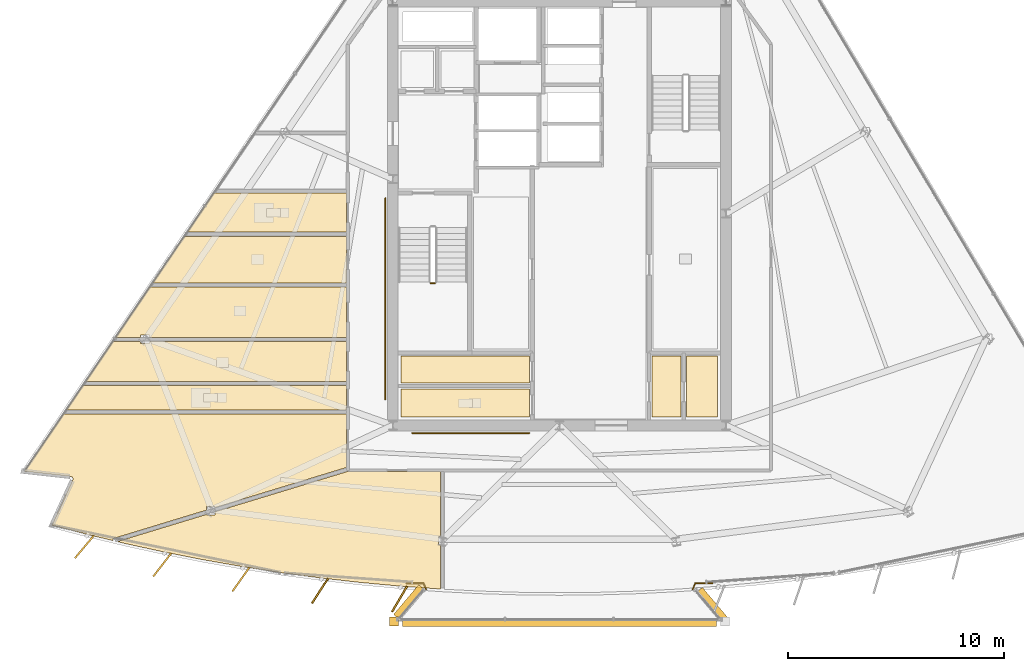
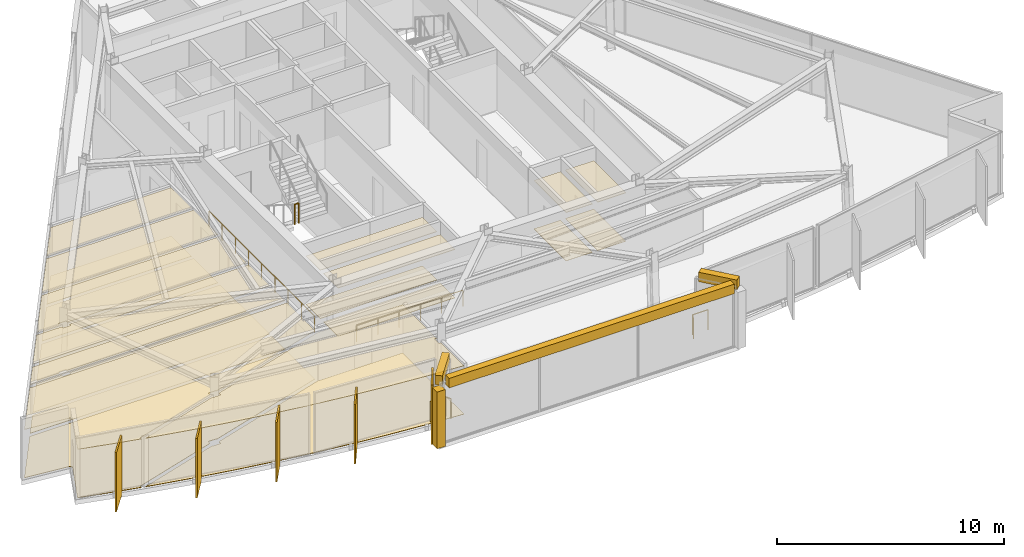
# One storey, part 11 of 14: 26 coverings, 5 railings, 5 shading devices.
"""IFC4 building model written with IfcOpenShell, lengths in metres."""

import ifcopenshell
import ifcopenshell.guid

model = None  # the IFC model being written
_history = None  # IfcOwnerHistory: only IFC2X3 demands one
_inside = {}  # id of a spatial element -> (the spatial element, [elements in it])
_under = {}  # id of a project, library or spatial element -> (it, [spatial elements below it])
_declared = {}  # id of a project -> (the project, [libraries it declares])
_typed = {}  # id of a type object -> (the type object, [elements of that type])
_made_of = {}  # id of a material, layer set ... -> (it, [elements and type objects made of it])


def new_model(schema):
    """Start an empty IFC model of exactly this schema.

    Asked for "IFC4X3", IfcOpenShell would pick the latest addendum, in which some entities
    have other attributes; the version numbers below select the first issue.
    IFC2X3 requires an IfcOwnerHistory on every rooted entity: one is made here for all.
    """
    global model, _history
    if schema == "IFC4X3":
        model = ifcopenshell.file(schema_version=(4, 3, 0, 0))
    else:
        model = ifcopenshell.file(schema=schema)
    _inside.clear()
    _under.clear()
    _declared.clear()
    _typed.clear()
    _made_of.clear()
    _history = None
    if model.schema == "IFC2X3":
        org = make("IfcOrganization", Name="unknown")
        user = make(
            "IfcPersonAndOrganization",
            ThePerson=make("IfcPerson", FamilyName="unknown"),
            TheOrganization=org,
        )
        app = make(
            "IfcApplication",
            ApplicationDeveloper=org,
            Version="unknown",
            ApplicationFullName="unknown",
            ApplicationIdentifier="unknown",
        )
        _history = make(
            "IfcOwnerHistory",
            OwningUser=user,
            OwningApplication=app,
            ChangeAction="ADDED",
            CreationDate=0,
        )
    return model


def make(cls, **values):
    """One entity of the class cls with the attributes given. An attribute that is None is left unset."""
    return model.create_entity(
        cls, **{name: value for name, value in values.items() if value is not None}
    )


def rooted(cls, **values):
    """An entity with a GlobalId (a new one), such as an element, a storey or a relation."""
    return make(cls, GlobalId=ifcopenshell.guid.new(), OwnerHistory=_history, **values)


def si_unit(unit_type, name, prefix=None):
    """IfcSIUnit, for example si_unit("LENGTHUNIT", "METRE", prefix="MILLI")."""
    return make("IfcSIUnit", UnitType=unit_type, Prefix=prefix, Name=name)


def assignment(units):
    """IfcUnitAssignment: the units of a project."""
    return None if units is None else make("IfcUnitAssignment", Units=units)


def point(xyz):
    """IfcCartesianPoint."""
    return None if xyz is None else make("IfcCartesianPoint", Coordinates=xyz)


def direction(xyz):
    """IfcDirection."""
    return None if xyz is None else make("IfcDirection", DirectionRatios=xyz)


def frame(location, z_axis=None, x_axis=None):
    """IfcAxis2Placement3D, a coordinate frame: its origin and axes. An axis left out is left unset."""
    return make(
        "IfcAxis2Placement3D",
        Location=point(location),
        Axis=direction(z_axis),
        RefDirection=direction(x_axis),
    )


def frame_2d(location, x_axis=None):
    """IfcAxis2Placement2D, a coordinate frame in the plane: its origin and x axis."""
    return make(
        "IfcAxis2Placement2D", Location=point(location), RefDirection=direction(x_axis)
    )


def origin():
    """The frame at (0, 0, 0) with its axes left unset."""
    return frame((0.0, 0.0, 0.0))


def origin_2d():
    """The frame at (0, 0) in the plane with its x axis left unset."""
    return frame_2d((0.0, 0.0))


def place(relative_to, where):
    """IfcLocalPlacement: puts the frame where relative to a parent placement (None: the world)."""
    return make(
        "IfcLocalPlacement", PlacementRelTo=relative_to, RelativePlacement=where
    )


def context(
    kind, dimensions, precision=None, world=None, true_north=None, identifier=None
):
    """IfcGeometricRepresentationContext, for example the 3D "Model" context."""
    return make(
        "IfcGeometricRepresentationContext",
        ContextIdentifier=identifier,
        ContextType=kind,
        CoordinateSpaceDimension=dimensions,
        Precision=precision,
        WorldCoordinateSystem=world,
        TrueNorth=true_north,
    )


def subcontext(parent, identifier, kind, view, scale=None):
    """IfcGeometricRepresentationSubContext, for example "Body" below "Model"."""
    return make(
        "IfcGeometricRepresentationSubContext",
        ContextIdentifier=identifier,
        ContextType=kind,
        ParentContext=parent,
        TargetScale=scale,
        TargetView=view,
    )


def project(units=None, contexts=None):
    """IfcProject with its units and contexts."""
    return rooted(
        "IfcProject",
        Name="project",
        RepresentationContexts=contexts,
        UnitsInContext=assignment(units),
    )


def spatial(cls, under=None, at=None, **own):
    """A site, building, storey or space (cls), placed at a placement, below another one or the project."""
    s = rooted(cls, ObjectPlacement=at, **own)
    if under is not None:
        _under.setdefault(under.id(), (under, []))[1].append(s)
    return s


def polyline(points):
    """IfcPolyline through the points."""
    return make("IfcPolyline", Points=[point(p) for p in points])


def profile(cls, at=None, kind="AREA", **sizes):
    """A parametric profile (cls). Its sizes go by their IFC names, for example OverallWidth=200.0."""
    return make(cls, ProfileType=kind, Position=at, **sizes)


def rectangle(**sizes):
    """IfcRectangleProfileDef."""
    return profile("IfcRectangleProfileDef", **sizes)


def circle(**sizes):
    """IfcCircleProfileDef."""
    return profile("IfcCircleProfileDef", **sizes)


def outline(outer, holes=None, kind="AREA"):
    """IfcArbitraryClosedProfileDef: a profile drawn as a closed curve; with holes, ...WithVoids."""
    if holes is None:
        return make("IfcArbitraryClosedProfileDef", ProfileType=kind, OuterCurve=outer)
    return make(
        "IfcArbitraryProfileDefWithVoids",
        ProfileType=kind,
        OuterCurve=outer,
        InnerCurves=holes,
    )


def extrude(swept, where, along, depth):
    """IfcExtrudedAreaSolid: the profile swept, set in the frame where, extruded along a direction by depth."""
    return make(
        "IfcExtrudedAreaSolid",
        SweptArea=swept,
        Position=where,
        ExtrudedDirection=direction(along),
        Depth=depth,
    )


def shape(context_of_items, identifier, shape_type, items):
    """IfcShapeRepresentation: the items that make up one representation, for example the "Body"."""
    return make(
        "IfcShapeRepresentation",
        ContextOfItems=context_of_items,
        RepresentationIdentifier=identifier,
        RepresentationType=shape_type,
        Items=items,
    )


def material(Name=None, Category=None):
    """IfcMaterial."""
    return make("IfcMaterial", Name=Name, Category=Category)


def layer(
    of_material, thickness, ventilated=None, Name=None, Category=None, Priority=None
):
    """IfcMaterialLayer: one layer of a wall or slab, of a material (None: an air gap)."""
    return make(
        "IfcMaterialLayer",
        Material=of_material,
        LayerThickness=thickness,
        IsVentilated=ventilated,
        Name=Name,
        Category=Category,
        Priority=Priority,
    )


def layer_set(layers, Name=None):
    """IfcMaterialLayerSet."""
    return make("IfcMaterialLayerSet", MaterialLayers=layers, LayerSetName=Name)


def made_of(thing, what):
    """Note that an element or type object is made of a material, layer set ...; save() writes the relation."""
    if what is not None:
        _made_of.setdefault(what.id(), (what, []))[1].append(thing)
    return thing


def type_object(cls, material=None, **own):
    """A type object (cls), such as IfcWallType, which elements share."""
    return made_of(rooted(cls, **own), material)


def element(
    cls,
    number,
    at=None,
    inside=None,
    cuts=None,
    type_object=None,
    material=None,
    context=None,
    identifier="Body",
    shape_type=None,
    held_by="IfcProductDefinitionShape",
    body=None,
    shapes=None,
    **own,
):
    """One element of the class cls, such as IfcWall. Its Tag is "e" and its number.

    at: its placement. inside: the storey or other place that contains it. cuts: it is an
    opening in that element (IfcRelVoidsElement). A single representation is given by context,
    identifier, shape_type and body (its items); several are given by shapes. held_by: the class
    of the entity that holds the representations. save() writes the other relations.
    """
    e = rooted(cls, Tag="e%d" % number, ObjectPlacement=at, **own)
    if body is not None:
        shapes = [shape(context, identifier, shape_type, body)]
    if shapes is not None:
        e.Representation = make(held_by, Representations=shapes)
    if inside is not None:
        _inside.setdefault(inside.id(), (inside, []))[1].append(e)
    if cuts is not None:
        rooted(
            "IfcRelVoidsElement", RelatingBuildingElement=cuts, RelatedOpeningElement=e
        )
    if type_object is not None:
        _typed.setdefault(type_object.id(), (type_object, []))[1].append(e)
    return made_of(e, material)


def aggregate(whole, parts):
    """IfcRelAggregates: a whole, such as a stair, and the parts it consists of."""
    return rooted("IfcRelAggregates", RelatingObject=whole, RelatedObjects=parts)


def save(model, path):
    """Write the relations noted so far, then the file.

    IfcRelAggregates (storeys below a building ...), IfcRelContainedInSpatialStructure (elements
    in a storey), IfcRelDefinesByType, IfcRelAssociatesMaterial and IfcRelDeclares: one each for
    every whole, place, type object, material and project.
    """
    for whole, parts in _under.values():
        aggregate(whole, parts)
    for where, things in _inside.values():
        rooted(
            "IfcRelContainedInSpatialStructure",
            RelatedElements=things,
            RelatingStructure=where,
        )
    for kind, things in _typed.values():
        rooted("IfcRelDefinesByType", RelatedObjects=things, RelatingType=kind)
    for what, things in _made_of.values():
        rooted("IfcRelAssociatesMaterial", RelatedObjects=things, RelatingMaterial=what)
    for by, libraries in _declared.values():
        rooted("IfcRelDeclares", RelatingContext=by, RelatedDefinitions=libraries)
    model.write(path)


model = new_model("IFC4")

# Units and contexts
model_context = context("Model", 3, precision=1e-05, world=origin(), true_north=direction((0.0, 1.0)))
body_context = subcontext(model_context, "Body", "Model", "MODEL_VIEW")
ifc_project = project(units=[si_unit("LENGTHUNIT", "METRE"), si_unit("AREAUNIT", "SQUARE_METRE"), si_unit("VOLUMEUNIT", "CUBIC_METRE"), si_unit("PLANEANGLEUNIT", "RADIAN"), si_unit("MASSUNIT", "GRAM", prefix="KILO")], contexts=[model_context])

# Site, building, storey
site_placement = place(None, origin())
site = spatial("IfcSite", under=ifc_project, at=site_placement, CompositionType="ELEMENT")
building_placement = place(site_placement, origin())
building = spatial("IfcBuilding", under=site, at=building_placement, Name="Savorim Split Tower", CompositionType="ELEMENT")
storey_placement = place(building_placement, frame((0.0, 0.0, 237.89990234375)))
storey = spatial("IfcBuildingStorey", under=building, at=storey_placement, Name="L63", CompositionType="ELEMENT", Elevation=237.89990234375)

# Coverings
ifc_material_1 = material(Name="Mineral Fibre Acoustic Ceiling")
ifc_layer_1 = layer(ifc_material_1, 0.02490234375)
ifc_layer_set_1 = layer_set([ifc_layer_1], Name="COV-CEIL-25")
covering_type_1 = type_object("IfcCoveringType", Name="COV-CEIL-25", PredefinedType="CEILING", material=ifc_layer_set_1)
covering_1_placement = place(storey_placement, frame((0.0, 0.0, 2.60009765625)))
element("IfcCovering", 1, at=covering_1_placement, inside=storey, type_object=covering_type_1, Name="L63 Cleaning Store Acoustic Ceiling", PredefinedType="CEILING", context=body_context, shape_type="SweptSolid", body=[
    extrude(outline(polyline([(-7.320068359375, -6.179931640625), (-7.320068359375, -7.43994140625), (-1.3798828125, -7.43994140625), (-1.3798828125, -6.179931640625), (-7.320068359375, -6.179931640625)])), origin(), (0.0, 0.0, 1.0), 0.02490234375),
])
covering_2_placement = place(storey_placement, frame((0.0, 0.0, 2.60009765625)))
element("IfcCovering", 2, at=covering_2_placement, inside=storey, type_object=covering_type_1, Name="L63 Public WC Acoustic Ceiling", PredefinedType="CEILING", context=body_context, shape_type="SweptSolid", body=[
    extrude(outline(polyline([(-7.320068359375, -7.719970703125), (-7.320068359375, -9.02001953125), (-1.3798828125, -9.02001953125), (-1.3798828125, -7.719970703125), (-7.320068359375, -7.719970703125)])), origin(), (0.0, 0.0, 1.0), 0.02490234375),
])
covering_3_placement = place(storey_placement, frame((0.0, 0.0, 2.60009765625)))
element("IfcCovering", 3, at=covering_3_placement, inside=storey, type_object=covering_type_1, Name="L63 Vending Pantry Acoustic Ceiling", PredefinedType="CEILING", context=body_context, shape_type="SweptSolid", body=[
    extrude(outline(polyline([(4.280029296875, -6.179931640625), (4.280029296875, -9.02001953125), (5.6201171875, -9.02001953125), (5.6201171875, -6.179931640625), (4.280029296875, -6.179931640625)])), origin(), (0.0, 0.0, 1.0), 0.02490234375),
])
covering_4_placement = place(storey_placement, frame((0.0, 0.0, 2.60009765625)))
element("IfcCovering", 4, at=covering_4_placement, inside=storey, type_object=covering_type_1, Name="L63 Recycling Chute Room Acoustic Ceiling", PredefinedType="CEILING", context=body_context, shape_type="SweptSolid", body=[
    extrude(outline(polyline([(5.8798828125, -6.179931640625), (5.8798828125, -9.02001953125), (7.320068359375, -9.02001953125), (7.320068359375, -6.179931640625), (5.8798828125, -6.179931640625)])), origin(), (0.0, 0.0, 1.0), 0.02490234375),
])
covering_5_placement = place(storey_placement, frame((0.0, 0.0, 2.60009765625)))
element("IfcCovering", 5, at=covering_5_placement, inside=storey, type_object=covering_type_1, Name="L63 Shared Kitchen Acoustic Ceiling", PredefinedType="CEILING", context=body_context, shape_type="SweptSolid", body=[
    extrude(outline(polyline([(-17.336669921875, -0.65234375), (-18.80126953125, -2.80517578125), (-9.840087890625, -2.80517578125), (-9.840087890625, -0.65234375), (-17.336669921875, -0.65234375)])), origin(), (0.0, 0.0, 1.0), 0.02490234375),
])
covering_6_placement = place(storey_placement, frame((0.0, 0.0, 2.60009765625)))
element("IfcCovering", 6, at=covering_6_placement, inside=storey, type_object=covering_type_1, Name="L63 Community Laundry Room Acoustic Ceiling", PredefinedType="CEILING", context=body_context, shape_type="SweptSolid", body=[
    extrude(outline(polyline([(-18.962158203125, -5.222412109375), (-18.962158203125, -5.323486328125), (-9.840087890625, -5.323486328125), (-9.840087890625, -2.9951171875), (-18.930419921875, -2.9951171875), (-20.514404296875, -5.323486328125), (-19.356201171875, -5.323486328125), (-19.356201171875, -5.222412109375), (-18.962158203125, -5.222412109375)])), origin(), (0.0, 0.0, 1.0), 0.02490234375),
])
covering_7_placement = place(storey_placement, frame((0.0, 0.0, 2.60009765625)))
element("IfcCovering", 7, at=covering_7_placement, inside=storey, type_object=covering_type_1, Name="L63 Community Laundry Room Acoustic Ceiling", PredefinedType="CEILING", context=body_context, shape_type="SweptSolid", body=[
    extrude(outline(polyline([(-20.5185546875, -5.513427734375), (-20.613525390625, -5.513427734375), (-20.613525390625, -5.46923828125), (-21.898681640625, -7.3583984375), (-9.840087890625, -7.3583984375), (-9.840087890625, -5.513427734375), (-18.962158203125, -5.513427734375), (-18.962158203125, -5.614501953125), (-19.356201171875, -5.614501953125), (-19.356201171875, -5.513427734375), (-20.5185546875, -5.513427734375)])), origin(), (0.0, 0.0, 1.0), 0.02490234375),
])
covering_8_placement = place(storey_placement, frame((0.0, 0.0, 2.60009765625)))
element("IfcCovering", 8, at=covering_8_placement, inside=storey, type_object=covering_type_1, Name="L63 Shared Bathroom Acoustic Ceiling", PredefinedType="CEILING", context=body_context, shape_type="SweptSolid", body=[
    extrude(outline(polyline([(-9.840087890625, -8.6865234375), (-9.840087890625, -7.54833984375), (-22.02783203125, -7.54833984375), (-22.80224609375, -8.6865234375), (-9.840087890625, -8.6865234375)])), origin(), (0.0, 0.0, 1.0), 0.02490234375),
])
covering_9_placement = place(storey_placement, frame((0.0, 0.0, 2.60009765625)))
element("IfcCovering", 9, at=covering_9_placement, inside=storey, type_object=covering_type_1, Name="L63 Co-Working Commons Acoustic Ceiling", PredefinedType="CEILING", context=body_context, shape_type="SweptSolid", body=[
    extrude(outline(polyline([(-22.49072265625, -11.86669921875), (-22.490478515625, -11.878662109375), (-22.491455078125, -11.890625), (-22.49365234375, -11.90234375), (-22.496826171875, -11.913818359375), (-22.50146484375, -11.9248046875), (-23.4599609375, -14.01123046875), (-21.8203125, -14.440185546875), (-20.6220703125, -14.7275390625), (-20.650390625, -14.634521484375), (-16.311767578125, -13.313720703125), (-16.311767578125, -13.156982421875), (-15.917724609375, -13.156982421875), (-15.917724609375, -13.193603515625), (-9.861572265625, -11.349609375), (-9.840087890625, -11.34326171875), (-9.840087890625, -8.876708984375), (-22.931396484375, -8.876708984375), (-24.72802734375, -11.517578125), (-22.59716796875, -11.755615234375), (-22.585205078125, -11.757568359375), (-22.57373046875, -11.760498046875), (-22.5625, -11.7646484375), (-22.552001953125, -11.77001953125), (-22.541748046875, -11.7763671875), (-22.5322265625, -11.78369140625), (-22.523681640625, -11.7919921875), (-22.515869140625, -11.80078125), (-22.509033203125, -11.810546875), (-22.503173828125, -11.821044921875), (-22.498291015625, -11.831787109375), (-22.49462890625, -11.84326171875), (-22.4921875, -11.85498046875), (-22.49072265625, -11.86669921875)])), origin(), (0.0, 0.0, 1.0), 0.02490234375),
])
covering_10_placement = place(storey_placement, frame((0.0, 0.0, 2.60009765625)))
element("IfcCovering", 10, at=covering_10_placement, inside=storey, type_object=covering_type_1, Name="L63 Communal Lounge Acoustic Ceiling", PredefinedType="CEILING", context=body_context, shape_type="SweptSolid", body=[
    extrude(outline(polyline([(-10.992919921875, -16.45703125), (-9.167724609375, -16.663330078125), (-7.3388671875, -16.832275390625), (-5.5068359375, -16.963623046875), (-5.495849609375, -16.96435546875), (-5.495849609375, -14.924560546875), (-5.597900390625, -14.924560546875), (-5.597900390625, -14.532470703125), (-5.495849609375, -14.532470703125), (-5.495849609375, -11.5400390625), (-9.699951171875, -11.5400390625), (-9.713623046875, -11.539306640625), (-9.727294921875, -11.537353515625), (-9.740478515625, -11.533935546875), (-9.753662109375, -11.529296875), (-9.76611328125, -11.5234375), (-9.770751953125, -11.520751953125), (-15.917724609375, -13.39208984375), (-15.917724609375, -13.548828125), (-16.311767578125, -13.548828125), (-16.311767578125, -13.51220703125), (-20.44384765625, -14.770263671875), (-20.0341796875, -14.868408203125), (-18.23974609375, -15.260009765625), (-16.4375, -15.61474609375), (-14.62841796875, -15.9326171875), (-12.8134765625, -16.21337890625), (-10.992919921875, -16.45703125)])), origin(), (0.0, 0.0, 1.0), 0.02490234375),
])
covering_11_placement = place(storey_placement, frame((0.0, 0.0, 2.60009765625)))
element("IfcCovering", 11, at=covering_11_placement, inside=storey, type_object=covering_type_1, Name="L63 Shared Bathroom Acoustic Ceiling", PredefinedType="CEILING", context=body_context, shape_type="SweptSolid", body=[
    extrude(outline(polyline([(-15.983154296875, 1.33740234375), (-17.20751953125, -0.46240234375), (-9.840087890625, -0.46240234375), (-9.840087890625, 1.33740234375), (-15.983154296875, 1.33740234375)])), origin(), (0.0, 0.0, 1.0), 0.02490234375),
])
ifc_material_2 = material(Name="Porcelain Stoneware Flooring", Category="masonry")
ifc_layer_2 = layer(ifc_material_2, 0.02001953125)
ifc_layer_set_2 = layer_set([ifc_layer_2], Name="COV-FLOR-20")
covering_type_2 = type_object("IfcCoveringType", Name="COV-FLOR-20", PredefinedType="FLOORING", material=ifc_layer_set_2)
covering_12_placement = place(storey_placement, origin())
element("IfcCovering", 12, at=covering_12_placement, inside=storey, type_object=covering_type_2, Name="L63 Cleaning Store Porcelain Flooring", PredefinedType="FLOORING", context=body_context, shape_type="SweptSolid", body=[
    extrude(outline(polyline([(-7.320068359375, -6.179931640625), (-7.320068359375, -7.43994140625), (-1.3798828125, -7.43994140625), (-1.3798828125, -6.179931640625), (-7.320068359375, -6.179931640625)])), origin(), (0.0, 0.0, 1.0), 0.02001953125),
])
covering_13_placement = place(storey_placement, origin())
element("IfcCovering", 13, at=covering_13_placement, inside=storey, type_object=covering_type_2, Name="L63 Public WC Porcelain Flooring", PredefinedType="FLOORING", context=body_context, shape_type="SweptSolid", body=[
    extrude(outline(polyline([(-7.320068359375, -7.719970703125), (-7.320068359375, -9.02001953125), (-1.3798828125, -9.02001953125), (-1.3798828125, -7.719970703125), (-7.320068359375, -7.719970703125)])), origin(), (0.0, 0.0, 1.0), 0.02001953125),
])
covering_14_placement = place(storey_placement, origin())
element("IfcCovering", 14, at=covering_14_placement, inside=storey, type_object=covering_type_2, Name="L63 Vending Pantry Porcelain Flooring", PredefinedType="FLOORING", context=body_context, shape_type="SweptSolid", body=[
    extrude(outline(polyline([(4.280029296875, -6.179931640625), (4.280029296875, -9.02001953125), (5.6201171875, -9.02001953125), (5.6201171875, -6.179931640625), (4.280029296875, -6.179931640625)])), origin(), (0.0, 0.0, 1.0), 0.02001953125),
])
covering_15_placement = place(storey_placement, origin())
element("IfcCovering", 15, at=covering_15_placement, inside=storey, type_object=covering_type_2, Name="L63 Recycling Chute Room Porcelain Flooring", PredefinedType="FLOORING", context=body_context, shape_type="SweptSolid", body=[
    extrude(outline(polyline([(5.8798828125, -6.179931640625), (5.8798828125, -9.02001953125), (7.320068359375, -9.02001953125), (7.320068359375, -6.179931640625), (5.8798828125, -6.179931640625)])), origin(), (0.0, 0.0, 1.0), 0.02001953125),
])
covering_16_placement = place(storey_placement, origin())
element("IfcCovering", 16, at=covering_16_placement, inside=storey, type_object=covering_type_2, Name="L63 Shared Kitchen Porcelain Flooring", PredefinedType="FLOORING", context=body_context, shape_type="SweptSolid", body=[
    extrude(outline(polyline([(-17.336669921875, -0.65234375), (-18.80126953125, -2.80517578125), (-9.840087890625, -2.80517578125), (-9.840087890625, -0.65234375), (-17.336669921875, -0.65234375)])), origin(), (0.0, 0.0, 1.0), 0.02001953125),
])
covering_17_placement = place(storey_placement, origin())
element("IfcCovering", 17, at=covering_17_placement, inside=storey, type_object=covering_type_2, Name="L63 Community Laundry Room Porcelain Flooring", PredefinedType="FLOORING", context=body_context, shape_type="SweptSolid", body=[
    extrude(outline(polyline([(-18.962158203125, -5.222412109375), (-18.962158203125, -5.323486328125), (-9.840087890625, -5.323486328125), (-9.840087890625, -2.9951171875), (-18.930419921875, -2.9951171875), (-20.514404296875, -5.323486328125), (-19.356201171875, -5.323486328125), (-19.356201171875, -5.222412109375), (-18.962158203125, -5.222412109375)])), origin(), (0.0, 0.0, 1.0), 0.02001953125),
])
covering_18_placement = place(storey_placement, origin())
element("IfcCovering", 18, at=covering_18_placement, inside=storey, type_object=covering_type_2, Name="L63 Community Laundry Room Porcelain Flooring", PredefinedType="FLOORING", context=body_context, shape_type="SweptSolid", body=[
    extrude(outline(polyline([(-20.5185546875, -5.513427734375), (-20.613525390625, -5.513427734375), (-20.613525390625, -5.46923828125), (-21.898681640625, -7.3583984375), (-9.840087890625, -7.3583984375), (-9.840087890625, -5.513427734375), (-18.962158203125, -5.513427734375), (-18.962158203125, -5.614501953125), (-19.356201171875, -5.614501953125), (-19.356201171875, -5.513427734375), (-20.5185546875, -5.513427734375)])), origin(), (0.0, 0.0, 1.0), 0.02001953125),
])
covering_19_placement = place(storey_placement, origin())
element("IfcCovering", 19, at=covering_19_placement, inside=storey, type_object=covering_type_2, Name="L63 Shared Bathroom Porcelain Flooring", PredefinedType="FLOORING", context=body_context, shape_type="SweptSolid", body=[
    extrude(outline(polyline([(-9.840087890625, -8.6865234375), (-9.840087890625, -7.54833984375), (-22.02783203125, -7.54833984375), (-22.80224609375, -8.6865234375), (-9.840087890625, -8.6865234375)])), origin(), (0.0, 0.0, 1.0), 0.02001953125),
])
covering_20_placement = place(storey_placement, origin())
element("IfcCovering", 20, at=covering_20_placement, inside=storey, type_object=covering_type_2, Name="L63 Co-Working Commons Porcelain Flooring", PredefinedType="FLOORING", context=body_context, shape_type="SweptSolid", body=[
    extrude(outline(polyline([(-22.49072265625, -11.86669921875), (-22.490478515625, -11.878662109375), (-22.491455078125, -11.890625), (-22.49365234375, -11.90234375), (-22.496826171875, -11.913818359375), (-22.50146484375, -11.9248046875), (-23.4599609375, -14.01123046875), (-21.8203125, -14.440185546875), (-20.6220703125, -14.7275390625), (-20.650390625, -14.634521484375), (-16.311767578125, -13.313720703125), (-16.311767578125, -13.156982421875), (-15.917724609375, -13.156982421875), (-15.917724609375, -13.193603515625), (-9.861572265625, -11.349609375), (-9.840087890625, -11.34326171875), (-9.840087890625, -8.876708984375), (-22.931396484375, -8.876708984375), (-24.72802734375, -11.517578125), (-22.59716796875, -11.755615234375), (-22.585205078125, -11.757568359375), (-22.57373046875, -11.760498046875), (-22.5625, -11.7646484375), (-22.552001953125, -11.77001953125), (-22.541748046875, -11.7763671875), (-22.5322265625, -11.78369140625), (-22.523681640625, -11.7919921875), (-22.515869140625, -11.80078125), (-22.509033203125, -11.810546875), (-22.503173828125, -11.821044921875), (-22.498291015625, -11.831787109375), (-22.49462890625, -11.84326171875), (-22.4921875, -11.85498046875), (-22.49072265625, -11.86669921875)])), origin(), (0.0, 0.0, 1.0), 0.02001953125),
])
covering_21_placement = place(storey_placement, origin())
element("IfcCovering", 21, at=covering_21_placement, inside=storey, type_object=covering_type_2, Name="L63 Communal Lounge Porcelain Flooring", PredefinedType="FLOORING", context=body_context, shape_type="SweptSolid", body=[
    extrude(outline(polyline([(-10.992919921875, -16.45703125), (-9.167724609375, -16.663330078125), (-7.3388671875, -16.832275390625), (-5.5068359375, -16.963623046875), (-5.495849609375, -16.96435546875), (-5.495849609375, -14.924560546875), (-5.597900390625, -14.924560546875), (-5.597900390625, -14.532470703125), (-5.495849609375, -14.532470703125), (-5.495849609375, -11.5400390625), (-9.699951171875, -11.5400390625), (-9.713623046875, -11.539306640625), (-9.727294921875, -11.537353515625), (-9.740478515625, -11.533935546875), (-9.753662109375, -11.529296875), (-9.76611328125, -11.5234375), (-9.770751953125, -11.520751953125), (-15.917724609375, -13.39208984375), (-15.917724609375, -13.548828125), (-16.311767578125, -13.548828125), (-16.311767578125, -13.51220703125), (-20.44384765625, -14.770263671875), (-20.0341796875, -14.868408203125), (-18.23974609375, -15.260009765625), (-16.4375, -15.61474609375), (-14.62841796875, -15.9326171875), (-12.8134765625, -16.21337890625), (-10.992919921875, -16.45703125)])), origin(), (0.0, 0.0, 1.0), 0.02001953125),
])
covering_22_placement = place(storey_placement, origin())
element("IfcCovering", 22, at=covering_22_placement, inside=storey, type_object=covering_type_2, Name="L63 Shared Bathroom Porcelain Flooring", PredefinedType="FLOORING", context=body_context, shape_type="SweptSolid", body=[
    extrude(outline(polyline([(-15.983154296875, 1.33740234375), (-17.20751953125, -0.46240234375), (-9.840087890625, -0.46240234375), (-9.840087890625, 1.33740234375), (-15.983154296875, 1.33740234375)])), origin(), (0.0, 0.0, 1.0), 0.02001953125),
])
ifc_material_3 = material(Name="White Porcelain Architectural Cladding")
ifc_layer_3 = layer(ifc_material_3, 0.139892578125)
ifc_layer_set_3 = layer_set([ifc_layer_3], Name="COV-FRM-WHITE")
covering_type_3 = type_object("IfcCoveringType", Name="COV-FRM-WHITE", PredefinedType="CLADDING", material=ifc_layer_set_3)
covering_23_placement = place(storey_placement, frame((0.0, 0.0, 3.080078125)))
element("IfcCovering", 23, at=covering_23_placement, inside=storey, type_object=covering_type_3, Name="L63 Cantilevered Lounge White Upper Cornice Band W", PredefinedType="CLADDING", context=body_context, shape_type="SweptSolid", body=[
    extrude(outline(polyline([(-6.50634765625, -16.7666015625), (-7.66748046875, -18.142333984375), (-7.40771484375, -18.361572265625), (-6.24658203125, -16.986083984375), (-6.50634765625, -16.7666015625)])), origin(), (0.0, 0.0, 1.0), 0.510009765625),
])
covering_24_placement = place(storey_placement, frame((0.0, 0.0, 3.080078125)))
element("IfcCovering", 24, at=covering_24_placement, inside=storey, type_object=covering_type_3, Name="L63 Cantilevered Lounge White Upper Cornice Band F", PredefinedType="CLADDING", context=body_context, shape_type="SweptSolid", body=[
    extrude(outline(polyline([(-7.254150390625, -18.6875), (7.254150390625, -18.6875), (7.254150390625, -18.34765625), (-7.254150390625, -18.34765625), (-7.254150390625, -18.6875)])), origin(), (0.0, 0.0, 1.0), 0.510009765625),
])
covering_25_placement = place(storey_placement, frame((0.0, 0.0, 3.080078125)))
element("IfcCovering", 25, at=covering_25_placement, inside=storey, type_object=covering_type_3, Name="L63 Cantilevered Lounge White Upper Cornice Band E", PredefinedType="CLADDING", context=body_context, shape_type="SweptSolid", body=[
    extrude(outline(polyline([(7.7705078125, -18.2646484375), (6.609619140625, -16.888916015625), (6.349609375, -17.1083984375), (7.5107421875, -18.48388671875), (7.7705078125, -18.2646484375)])), origin(), (0.0, 0.0, 1.0), 0.510009765625),
])
covering_26_placement = place(storey_placement, frame((0.0, 0.0, 0.010009765625)))
element("IfcCovering", 26, at=covering_26_placement, inside=storey, type_object=covering_type_3, Name="L63 Cantilevered Lounge White Frame Corner Post 1", PredefinedType="CLADDING", context=body_context, shape_type="SweptSolid", body=[
    extrude(outline(polyline([(-7.864013671875, -18.677490234375), (-7.444091796875, -18.677490234375), (-7.444091796875, -18.257568359375), (-7.864013671875, -18.257568359375), (-7.864013671875, -18.677490234375)])), origin(), (0.0, 0.0, 1.0), 3.050048828125),
])

# Railings
ifc_material_4 = material(Name="Galvanised Painted Steel Balustrade", Category="steel")
railing_type_1 = type_object("IfcRailingType", Name="RLG-BAL-1100", PredefinedType="BALUSTRADE", material=ifc_material_4)
railing_1_placement = place(storey_placement, frame((-7.066650390625, -16.697509765625, 0.0)))
element("IfcRailing", 27, at=railing_1_placement, inside=storey, type_object=railing_type_1, Name="L63 Cantilevered Lounge West Edge Closure Guard", PredefinedType="BALUSTRADE", context=body_context, shape_type="SweptSolid", body=[
    extrude(circle(Radius=0.02392578125, at=origin_2d()), frame((0.0, 0.0, 1.076171875), z_axis=(1.0, 0.0, 0.0), x_axis=(0.0, 1.0, 0.0)), (0.0, 0.0, 1.0), 0.780029296875),
    extrude(circle(Radius=0.02392578125, at=origin_2d()), frame((0.780029296875, 0.0, 1.076171875), z_axis=(0.41234329917, -0.911028541611, 0.0), x_axis=(0.911028541611, 0.41234329917, 0.0)), (0.0, 0.0, 1.0), 0.302490234375),
    extrude(circle(Radius=0.02099609375, at=origin_2d()), origin(), (0.0, 0.0, 1.0), 1.052001953125),
    extrude(circle(Radius=0.02099609375, at=origin_2d()), frame((0.780029296875, 0.0, 0.0)), (0.0, 0.0, 1.0), 1.052001953125),
    extrude(circle(Radius=0.02099609375, at=origin_2d()), frame((0.90478515625, -0.275634765625, 0.0)), (0.0, 0.0, 1.0), 1.052001953125),
])
railing_2_placement = place(storey_placement, frame((6.161865234375, -16.97314453125, 0.0)))
element("IfcRailing", 28, at=railing_2_placement, inside=storey, type_object=railing_type_1, Name="L63 Cantilevered Lounge East Edge Closure Guard", PredefinedType="BALUSTRADE", context=body_context, shape_type="SweptSolid", body=[
    extrude(circle(Radius=0.02392578125, at=origin_2d()), frame((0.0, 0.0, 1.076171875), z_axis=(0.41234329917, 0.911028541611, 0.0), x_axis=(-0.911028541611, 0.41234329917, 0.0)), (0.0, 0.0, 1.0), 0.302490234375),
    extrude(circle(Radius=0.02392578125, at=origin_2d()), frame((0.124755859375, 0.275634765625, 1.076171875), z_axis=(1.0, 0.0, 0.0), x_axis=(0.0, 1.0, 0.0)), (0.0, 0.0, 1.0), 0.780029296875),
    extrude(circle(Radius=0.02099609375, at=origin_2d()), origin(), (0.0, 0.0, 1.0), 1.052001953125),
    extrude(circle(Radius=0.02099609375, at=origin_2d()), frame((0.124755859375, 0.275634765625, 0.0)), (0.0, 0.0, 1.0), 1.052001953125),
    extrude(circle(Radius=0.02099609375, at=origin_2d()), frame((0.90478515625, 0.275634765625, 0.0)), (0.0, 0.0, 1.0), 1.052001953125),
])
railing_type_2 = type_object("IfcRailingType", Name="RLG-HR-900", PredefinedType="HANDRAIL", material=ifc_material_4)
railing_3_placement = place(storey_placement, frame((-6.800048828125, -9.75, 0.0)))
element("IfcRailing", 29, at=railing_3_placement, inside=storey, type_object=railing_type_2, Name="L63 Corridor South Accessible Handrail", PredefinedType="HANDRAIL", context=body_context, shape_type="SweptSolid", body=[
    extrude(circle(Radius=0.02392578125, at=origin_2d()), frame((0.0, 0.0, 0.8759765625), z_axis=(1.0, 0.0, 0.0), x_axis=(0.0, 1.0, 0.0)), (0.0, 0.0, 1.0), 5.400146484375),
    extrude(circle(Radius=0.02099609375, at=origin_2d()), origin(), (0.0, 0.0, 1.0), 0.851806640625),
    extrude(circle(Radius=0.02099609375, at=origin_2d()), frame((1.080078125, 0.0, 0.0)), (0.0, 0.0, 1.0), 0.851806640625),
    extrude(circle(Radius=0.02099609375, at=origin_2d()), frame((2.16015625, 0.0, 0.0)), (0.0, 0.0, 1.0), 0.851806640625),
    extrude(circle(Radius=0.02099609375, at=origin_2d()), frame((3.239990234375, 0.0, 0.0)), (0.0, 0.0, 1.0), 0.851806640625),
    extrude(circle(Radius=0.02099609375, at=origin_2d()), frame((4.320068359375, 0.0, 0.0)), (0.0, 0.0, 1.0), 0.851806640625),
    extrude(circle(Radius=0.02099609375, at=origin_2d()), frame((5.400146484375, 0.0, 0.0)), (0.0, 0.0, 1.0), 0.851806640625),
])
railing_4_placement = place(storey_placement, frame((-8.050048828125, -8.199951171875, 0.0)))
element("IfcRailing", 30, at=railing_4_placement, inside=storey, type_object=railing_type_2, Name="L63 Corridor West Accessible Handrail", PredefinedType="HANDRAIL", context=body_context, shape_type="SweptSolid", body=[
    extrude(circle(Radius=0.02392578125, at=origin_2d()), frame((0.0, 0.0, 0.8759765625), z_axis=(0.0, 1.0, 0.0), x_axis=(-1.0, 0.0, 0.0)), (0.0, 0.0, 1.0), 9.300048828125),
    extrude(circle(Radius=0.02099609375, at=origin_2d()), origin(), (0.0, 0.0, 1.0), 0.851806640625),
    extrude(circle(Radius=0.02099609375, at=origin_2d()), frame((0.0, 1.16259765625, 0.0)), (0.0, 0.0, 1.0), 0.851806640625),
    extrude(circle(Radius=0.02099609375, at=origin_2d()), frame((0.0, 2.324951171875, 0.0)), (0.0, 0.0, 1.0), 0.851806640625),
    extrude(circle(Radius=0.02099609375, at=origin_2d()), frame((0.0, 3.487548828125, 0.0)), (0.0, 0.0, 1.0), 0.851806640625),
    extrude(circle(Radius=0.02099609375, at=origin_2d()), frame((0.0, 4.64990234375, 0.0)), (0.0, 0.0, 1.0), 0.851806640625),
    extrude(circle(Radius=0.02099609375, at=origin_2d()), frame((0.0, 5.8125, 0.0)), (0.0, 0.0, 1.0), 0.851806640625),
    extrude(circle(Radius=0.02099609375, at=origin_2d()), frame((0.0, 6.97509765625, 0.0)), (0.0, 0.0, 1.0), 0.851806640625),
    extrude(circle(Radius=0.02099609375, at=origin_2d()), frame((0.0, 8.137451171875, 0.0)), (0.0, 0.0, 1.0), 0.851806640625),
    extrude(circle(Radius=0.02099609375, at=origin_2d()), frame((0.0, 9.300048828125, 0.0)), (0.0, 0.0, 1.0), 0.851806640625),
])
railing_type_3 = type_object("IfcRailingType", Name="RLG-STG-1100", PredefinedType="BALUSTRADE", material=ifc_material_4)
railing_5_placement = place(storey_placement, frame((-5.949951171875, -2.820068359375, 1.800048828125)))
element("IfcRailing", 31, at=railing_5_placement, inside=storey, type_object=railing_type_3, Name="L63 ST-1 stair guard 2", PredefinedType="BALUSTRADE", context=body_context, shape_type="SweptSolid", body=[
    extrude(circle(Radius=0.02392578125, at=origin_2d()), frame((0.0, 0.0, 1.076171875), z_axis=(1.0, 0.0, 0.0), x_axis=(0.0, 1.0, 0.0)), (0.0, 0.0, 1.0), 0.199951171875),
    extrude(circle(Radius=0.02099609375, at=origin_2d()), origin(), (0.0, 0.0, 1.0), 1.052001953125),
    extrude(circle(Radius=0.02099609375, at=origin_2d()), frame((0.199951171875, 0.0, 0.0)), (0.0, 0.0, 1.0), 1.052001953125),
])

# Shading devices
ifc_material_5 = material(Name="Terracotta Ceramic-Coated Aluminium Fin", Category="masonry")
shading_device_type = type_object("IfcShadingDeviceType", Name="SHD-FIN-1360", PredefinedType="USERDEFINED", material=ifc_material_5)
for number, where, z_axis, x_axis, name in (
    (32, (-21.965087890625, -15.018310546875, -0.19970703125), (0.0, 0.0, 1.0), (-0.643719022682, -0.765261928909, 0.0), "L63 Sawtooth Shading Fin 01"),
    (33, (-18.36083984375, -15.843505859375, -0.19970703125), (0.0, 0.0, 1.0), (-0.611868076908, -0.790959832394, 0.0), "L63 Sawtooth Shading Fin 02"),
    (34, (-14.7255859375, -16.520751953125, -0.19970703125), (0.0, 0.0, 1.0), (-0.578993757737, -0.815331974414, 0.0), "L63 Sawtooth Shading Fin 03"),
    (35, (-11.06591796875, -17.048583984375, -0.19970703125), (0.0, 0.0, 1.0), (-0.545148321708, -0.838339613366, 0.0), "L63 Sawtooth Shading Fin 04"),
    (36, (-7.3876953125, -17.42626953125, -0.19970703125), (0.0, 0.0, 1.0), (-0.510391336723, -0.859942255851, 0.0), "L63 Sawtooth Shading Fin 05"),
):
    element("IfcShadingDevice", number, at=place(storey_placement, frame(where, z_axis=z_axis, x_axis=x_axis)), inside=storey, type_object=shading_device_type, Name=name, ObjectType="FIN", PredefinedType="USERDEFINED", context=body_context, shape_type="SweptSolid", body=[
        extrude(rectangle(XDim=1.360107421875, YDim=0.080078125, at=origin_2d()), origin(), (0.0, 0.0, 1.0), 3.199951171875),
    ])

save(model, "model.ifc")
